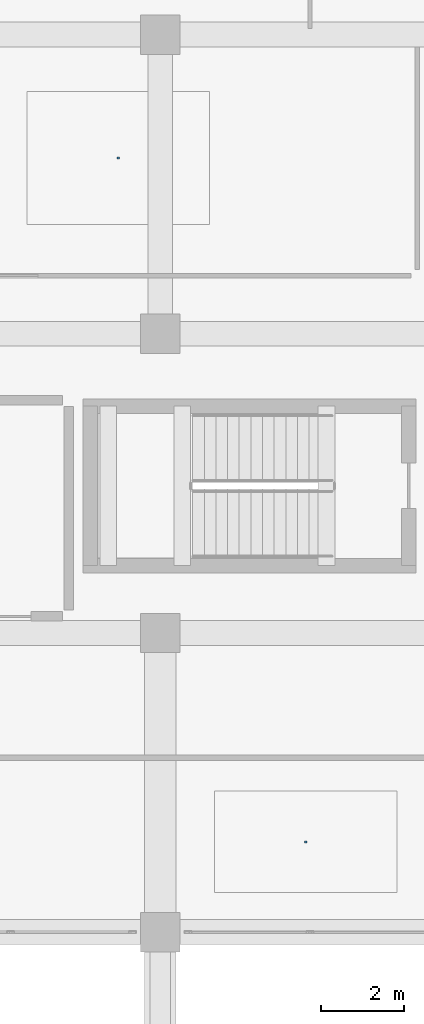
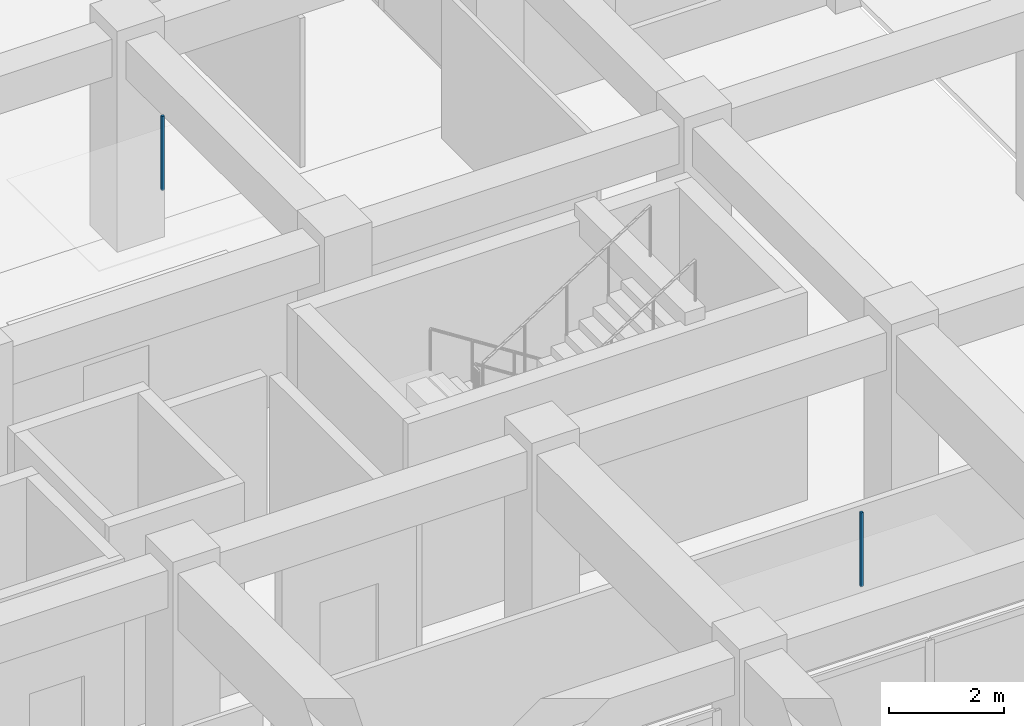
# One storey, part 41 of 54: 2 discrete accessories.
"""IFC4 building model written with IfcOpenShell, lengths in metres."""

from ifc_helpers import new_model, si_unit, direction, frame, origin, origin_2d, place, context, subcontext, project, spatial, rectangle, extrude, material, type_object, element, save


model = new_model("IFC4")

# Units and contexts
model_context = context("Model", 3, precision=1e-05, world=origin(), true_north=direction((0.0, 1.0)))
body_context = subcontext(model_context, "Body", "Model", "MODEL_VIEW")
ifc_project = project(units=[si_unit("LENGTHUNIT", "METRE"), si_unit("AREAUNIT", "SQUARE_METRE"), si_unit("VOLUMEUNIT", "CUBIC_METRE"), si_unit("PLANEANGLEUNIT", "RADIAN"), si_unit("MASSUNIT", "GRAM", prefix="KILO")], contexts=[model_context])

# Site, building, storey
site_placement = place(None, origin())
site = spatial("IfcSite", under=ifc_project, at=site_placement, CompositionType="ELEMENT")
building_placement = place(site_placement, origin())
building = spatial("IfcBuilding", under=site, at=building_placement, Name="Kazehaya Institute of Natural Sciences", CompositionType="ELEMENT")
storey_placement = place(building_placement, frame((0.0, 0.0, 10.43994140625)))
storey = spatial("IfcBuildingStorey", under=building, at=storey_placement, Name="L02", CompositionType="ELEMENT", Elevation=10.43994140625)

# Discrete accessories
ifc_material = material(Name="Structural steel SN490B", Category="steel")
discrete_accessory_type = type_object("IfcDiscreteAccessoryType", Name="ACC-CLG-HGR", PredefinedType="BRACKET", material=ifc_material)
for number, where, z_axis, x_axis, name in (
    (1, (108.5, 16.175048828125, 3.032470703125), (0.0, 0.0, 1.0), (1.0, 0.0, 0.0), "L02 ceiling suspension hanger 24"),
    (2, (103.989990234375, 32.625, 3.032470703125), (0.0, 0.0, 1.0), (1.0, 0.0, 0.0), "L02 ceiling suspension hanger 26"),
):
    element("IfcDiscreteAccessory", number, at=place(storey_placement, frame(where, z_axis=z_axis, x_axis=x_axis)), inside=storey, type_object=discrete_accessory_type, Name=name, PredefinedType="BRACKET", context=body_context, shape_type="SweptSolid", body=[
        extrude(rectangle(XDim=0.050048828125, YDim=0.050048828125, at=origin_2d()), origin(), (0.0, 0.0, 1.0), 1.5673828125),
    ])

save(model, "model.ifc")
